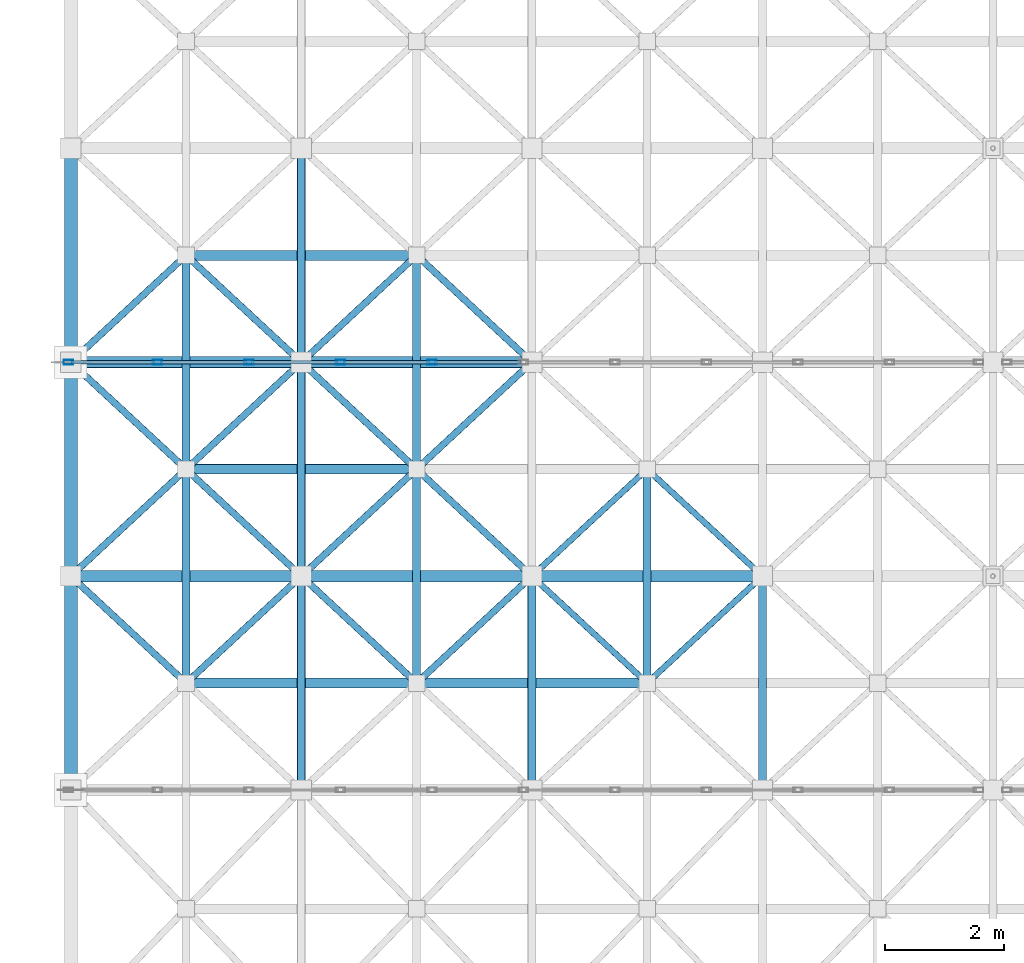
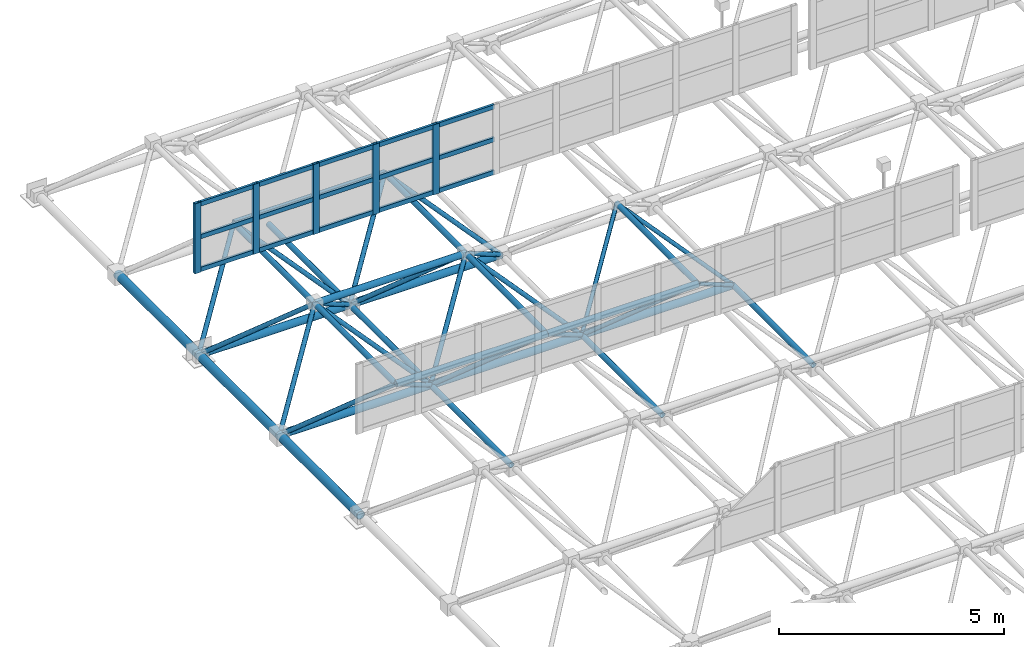
# One storey, part 92 of 195: 62 members, 1 element without a shape of its own.
"""IFC4 building model written with IfcOpenShell, lengths in metres."""

from ifc_helpers import new_model, si_unit, direction, frame, origin, origin_2d, place, context, subcontext, project, spatial, hollow_rectangle, hollow_circle, extrude, material, material_profile, profile_set, type_object, element, aggregate, save


model = new_model("IFC4")

# Units and contexts
model_context = context("Model", 3, precision=1e-05, world=origin(), true_north=direction((0.0, 1.0)))
body_context = subcontext(model_context, "Body", "Model", "MODEL_VIEW")
ifc_project = project(units=[si_unit("LENGTHUNIT", "METRE"), si_unit("AREAUNIT", "SQUARE_METRE"), si_unit("VOLUMEUNIT", "CUBIC_METRE"), si_unit("PLANEANGLEUNIT", "RADIAN"), si_unit("MASSUNIT", "GRAM", prefix="KILO")], contexts=[model_context])

# Site, building, storey
site_placement = place(None, origin())
site = spatial("IfcSite", under=ifc_project, at=site_placement, CompositionType="ELEMENT")
building_placement = place(site_placement, origin())
building = spatial("IfcBuilding", under=site, at=building_placement, Name="Kharva Crest Polytechnic", CompositionType="ELEMENT")
storey_placement = place(building_placement, frame((0.0, 0.0, 9.0)))
storey = spatial("IfcBuildingStorey", under=building, at=storey_placement, Name="L02", CompositionType="ELEMENT", Elevation=9.0)

# Curtain wall, members
ifc_material_1 = material(Name="Tempered insulated glass", Category="glass")
curtain_wall_type = type_object("IfcCurtainWallType", Name="CW-SYS-NORTHLIGHT", PredefinedType="USERDEFINED", material=ifc_material_1)
curtain_wall_placement = place(storey_placement, origin())
curtain_wall = element("IfcCurtainWall", 1, at=curtain_wall_placement, inside=storey, type_object=curtain_wall_type, Name="L02 Glazed Curtain Wall CW-199", ObjectType="CURTAIN WALL", PredefinedType="USERDEFINED")
ifc_material_2 = material(Name="Steel S355", Category="steel")
ifc_material_profile_1 = material_profile(ifc_material_2, hollow_rectangle(XDim=0.080078125, YDim=0.159912109375, WallThickness=0.0048828125, at=origin_2d()), Name="RHS 160X80X5.0")
ifc_profile_set_1 = profile_set([ifc_material_profile_1], Name="Steel S355")
member_type_1 = type_object("IfcMemberType", Name="CWM-RHS160X80", PredefinedType="MULLION", material=ifc_profile_set_1)
member_1_placement = place(storey_placement, frame((0.43994140625, 86.0, 2.85009765625), z_axis=(0.0, 0.0, 1.0), x_axis=(0.0, 1.0, 0.0)))
member_1 = element("IfcMember", 2, at=member_1_placement, type_object=member_type_1, Name="CW-199 mullion 1", PredefinedType="MULLION", context=body_context, shape_type="SweptSolid", body=[
    extrude(hollow_rectangle(XDim=0.080078125, YDim=0.159912109375, WallThickness=0.0048828125, at=origin_2d()), origin(), (0.0, 0.0, 1.0), 1.89990234375),
])
member_2_placement = place(storey_placement, frame((1.93994140625, 86.0, 2.85009765625), z_axis=(0.0, 0.0, 1.0), x_axis=(0.0, 1.0, 0.0)))
member_2 = element("IfcMember", 3, at=member_2_placement, type_object=member_type_1, Name="CW-199 mullion 2", PredefinedType="MULLION", context=body_context, shape_type="SweptSolid", body=[
    extrude(hollow_rectangle(XDim=0.080078125, YDim=0.159912109375, WallThickness=0.0048828125, at=origin_2d()), origin(), (0.0, 0.0, 1.0), 1.89990234375),
])
member_3_placement = place(storey_placement, frame((3.47998046875, 86.0, 2.85009765625), z_axis=(0.0, 0.0, 1.0), x_axis=(0.0, 1.0, 0.0)))
member_3 = element("IfcMember", 4, at=member_3_placement, type_object=member_type_1, Name="CW-199 mullion 3", PredefinedType="MULLION", context=body_context, shape_type="SweptSolid", body=[
    extrude(hollow_rectangle(XDim=0.080078125, YDim=0.159912109375, WallThickness=0.0048828125, at=origin_2d()), origin(), (0.0, 0.0, 1.0), 1.89990234375),
])
member_4_placement = place(storey_placement, frame((5.02001953125, 86.0, 2.85009765625), z_axis=(0.0, 0.0, 1.0), x_axis=(0.0, 1.0, 0.0)))
member_4 = element("IfcMember", 5, at=member_4_placement, type_object=member_type_1, Name="CW-199 mullion 4", PredefinedType="MULLION", context=body_context, shape_type="SweptSolid", body=[
    extrude(hollow_rectangle(XDim=0.080078125, YDim=0.159912109375, WallThickness=0.0048828125, at=origin_2d()), origin(), (0.0, 0.0, 1.0), 1.89990234375),
])
member_5_placement = place(storey_placement, frame((6.56005859375, 86.0, 2.85009765625), z_axis=(0.0, 0.0, 1.0), x_axis=(0.0, 1.0, 0.0)))
member_5 = element("IfcMember", 6, at=member_5_placement, type_object=member_type_1, Name="CW-199 mullion 5", PredefinedType="MULLION", context=body_context, shape_type="SweptSolid", body=[
    extrude(hollow_rectangle(XDim=0.080078125, YDim=0.159912109375, WallThickness=0.0048828125, at=origin_2d()), origin(), (0.0, 0.0, 1.0), 1.89990234375),
])
ifc_material_profile_2 = material_profile(ifc_material_2, hollow_rectangle(XDim=0.06005859375, YDim=0.1201171875, WallThickness=0.00390625, at=origin_2d()), Name="RHS 120X60X4.0")
ifc_profile_set_2 = profile_set([ifc_material_profile_2], Name="Steel S355")
member_type_2 = type_object("IfcMemberType", Name="CWT-RHS120X60", PredefinedType="USERDEFINED", material=ifc_profile_set_2)
member_6_placement = place(storey_placement, frame((0.47998046875, 86.0, 2.909912109375), z_axis=(1.0, 0.0, 0.0), x_axis=(0.0, 1.0, 0.0)))
member_6 = element("IfcMember", 7, at=member_6_placement, type_object=member_type_2, Name="CW-199 transom 1.1", ObjectType="TRANSOM", PredefinedType="USERDEFINED", context=body_context, shape_type="SweptSolid", body=[
    extrude(hollow_rectangle(XDim=0.06005859375, YDim=0.1201171875, WallThickness=0.00390625, at=origin_2d()), origin(), (0.0, 0.0, 1.0), 1.419921875),
])
member_7_placement = place(storey_placement, frame((0.47998046875, 86.0, 3.800048828125), z_axis=(1.0, 0.0, 0.0), x_axis=(0.0, 1.0, 0.0)))
member_7 = element("IfcMember", 8, at=member_7_placement, type_object=member_type_2, Name="CW-199 transom 1.2", ObjectType="TRANSOM", PredefinedType="USERDEFINED", context=body_context, shape_type="SweptSolid", body=[
    extrude(hollow_rectangle(XDim=0.06005859375, YDim=0.1201171875, WallThickness=0.00390625, at=origin_2d()), origin(), (0.0, 0.0, 1.0), 1.419921875),
])
member_8_placement = place(storey_placement, frame((0.47998046875, 86.0, 4.68994140625), z_axis=(1.0, 0.0, 0.0), x_axis=(0.0, 1.0, 0.0)))
member_8 = element("IfcMember", 9, at=member_8_placement, type_object=member_type_2, Name="CW-199 transom 1.3", ObjectType="TRANSOM", PredefinedType="USERDEFINED", context=body_context, shape_type="SweptSolid", body=[
    extrude(hollow_rectangle(XDim=0.06005859375, YDim=0.1201171875, WallThickness=0.00390625, at=origin_2d()), origin(), (0.0, 0.0, 1.0), 1.419921875),
])
member_9_placement = place(storey_placement, frame((1.97998046875, 86.0, 2.909912109375), z_axis=(1.0, 0.0, 0.0), x_axis=(0.0, 1.0, 0.0)))
member_9 = element("IfcMember", 10, at=member_9_placement, type_object=member_type_2, Name="CW-199 transom 2.1", ObjectType="TRANSOM", PredefinedType="USERDEFINED", context=body_context, shape_type="SweptSolid", body=[
    extrude(hollow_rectangle(XDim=0.06005859375, YDim=0.1201171875, WallThickness=0.00390625, at=origin_2d()), origin(), (0.0, 0.0, 1.0), 1.4599609375),
])
member_10_placement = place(storey_placement, frame((1.97998046875, 86.0, 3.800048828125), z_axis=(1.0, 0.0, 0.0), x_axis=(0.0, 1.0, 0.0)))
member_10 = element("IfcMember", 11, at=member_10_placement, type_object=member_type_2, Name="CW-199 transom 2.2", ObjectType="TRANSOM", PredefinedType="USERDEFINED", context=body_context, shape_type="SweptSolid", body=[
    extrude(hollow_rectangle(XDim=0.06005859375, YDim=0.1201171875, WallThickness=0.00390625, at=origin_2d()), origin(), (0.0, 0.0, 1.0), 1.4599609375),
])
member_11_placement = place(storey_placement, frame((1.97998046875, 86.0, 4.68994140625), z_axis=(1.0, 0.0, 0.0), x_axis=(0.0, 1.0, 0.0)))
member_11 = element("IfcMember", 12, at=member_11_placement, type_object=member_type_2, Name="CW-199 transom 2.3", ObjectType="TRANSOM", PredefinedType="USERDEFINED", context=body_context, shape_type="SweptSolid", body=[
    extrude(hollow_rectangle(XDim=0.06005859375, YDim=0.1201171875, WallThickness=0.00390625, at=origin_2d()), origin(), (0.0, 0.0, 1.0), 1.4599609375),
])
member_12_placement = place(storey_placement, frame((3.52001953125, 86.0, 2.909912109375), z_axis=(1.0, 0.0, 0.0), x_axis=(0.0, 1.0, 0.0)))
member_12 = element("IfcMember", 13, at=member_12_placement, type_object=member_type_2, Name="CW-199 transom 3.1", ObjectType="TRANSOM", PredefinedType="USERDEFINED", context=body_context, shape_type="SweptSolid", body=[
    extrude(hollow_rectangle(XDim=0.06005859375, YDim=0.1201171875, WallThickness=0.00390625, at=origin_2d()), origin(), (0.0, 0.0, 1.0), 1.4599609375),
])
member_13_placement = place(storey_placement, frame((3.52001953125, 86.0, 3.800048828125), z_axis=(1.0, 0.0, 0.0), x_axis=(0.0, 1.0, 0.0)))
member_13 = element("IfcMember", 14, at=member_13_placement, type_object=member_type_2, Name="CW-199 transom 3.2", ObjectType="TRANSOM", PredefinedType="USERDEFINED", context=body_context, shape_type="SweptSolid", body=[
    extrude(hollow_rectangle(XDim=0.06005859375, YDim=0.1201171875, WallThickness=0.00390625, at=origin_2d()), origin(), (0.0, 0.0, 1.0), 1.4599609375),
])
member_14_placement = place(storey_placement, frame((3.52001953125, 86.0, 4.68994140625), z_axis=(1.0, 0.0, 0.0), x_axis=(0.0, 1.0, 0.0)))
member_14 = element("IfcMember", 15, at=member_14_placement, type_object=member_type_2, Name="CW-199 transom 3.3", ObjectType="TRANSOM", PredefinedType="USERDEFINED", context=body_context, shape_type="SweptSolid", body=[
    extrude(hollow_rectangle(XDim=0.06005859375, YDim=0.1201171875, WallThickness=0.00390625, at=origin_2d()), origin(), (0.0, 0.0, 1.0), 1.4599609375),
])
member_15_placement = place(storey_placement, frame((5.06005859375, 86.0, 2.909912109375), z_axis=(1.0, 0.0, 0.0), x_axis=(0.0, 1.0, 0.0)))
member_15 = element("IfcMember", 16, at=member_15_placement, type_object=member_type_2, Name="CW-199 transom 4.1", ObjectType="TRANSOM", PredefinedType="USERDEFINED", context=body_context, shape_type="SweptSolid", body=[
    extrude(hollow_rectangle(XDim=0.06005859375, YDim=0.1201171875, WallThickness=0.00390625, at=origin_2d()), origin(), (0.0, 0.0, 1.0), 1.4599609375),
])
member_16_placement = place(storey_placement, frame((5.06005859375, 86.0, 3.800048828125), z_axis=(1.0, 0.0, 0.0), x_axis=(0.0, 1.0, 0.0)))
member_16 = element("IfcMember", 17, at=member_16_placement, type_object=member_type_2, Name="CW-199 transom 4.2", ObjectType="TRANSOM", PredefinedType="USERDEFINED", context=body_context, shape_type="SweptSolid", body=[
    extrude(hollow_rectangle(XDim=0.06005859375, YDim=0.1201171875, WallThickness=0.00390625, at=origin_2d()), origin(), (0.0, 0.0, 1.0), 1.4599609375),
])
member_17_placement = place(storey_placement, frame((5.06005859375, 86.0, 4.68994140625), z_axis=(1.0, 0.0, 0.0), x_axis=(0.0, 1.0, 0.0)))
member_17 = element("IfcMember", 18, at=member_17_placement, type_object=member_type_2, Name="CW-199 transom 4.3", ObjectType="TRANSOM", PredefinedType="USERDEFINED", context=body_context, shape_type="SweptSolid", body=[
    extrude(hollow_rectangle(XDim=0.06005859375, YDim=0.1201171875, WallThickness=0.00390625, at=origin_2d()), origin(), (0.0, 0.0, 1.0), 1.4599609375),
])
member_18_placement = place(storey_placement, frame((6.60009765625, 86.0, 2.909912109375), z_axis=(1.0, 0.0, 0.0), x_axis=(0.0, 1.0, 0.0)))
member_18 = element("IfcMember", 19, at=member_18_placement, type_object=member_type_2, Name="CW-199 transom 5.1", ObjectType="TRANSOM", PredefinedType="USERDEFINED", context=body_context, shape_type="SweptSolid", body=[
    extrude(hollow_rectangle(XDim=0.06005859375, YDim=0.1201171875, WallThickness=0.00390625, at=origin_2d()), origin(), (0.0, 0.0, 1.0), 1.4599609375),
])
member_19_placement = place(storey_placement, frame((6.60009765625, 86.0, 3.800048828125), z_axis=(1.0, 0.0, 0.0), x_axis=(0.0, 1.0, 0.0)))
member_19 = element("IfcMember", 20, at=member_19_placement, type_object=member_type_2, Name="CW-199 transom 5.2", ObjectType="TRANSOM", PredefinedType="USERDEFINED", context=body_context, shape_type="SweptSolid", body=[
    extrude(hollow_rectangle(XDim=0.06005859375, YDim=0.1201171875, WallThickness=0.00390625, at=origin_2d()), origin(), (0.0, 0.0, 1.0), 1.4599609375),
])
member_20_placement = place(storey_placement, frame((6.60009765625, 86.0, 4.68994140625), z_axis=(1.0, 0.0, 0.0), x_axis=(0.0, 1.0, 0.0)))
member_20 = element("IfcMember", 21, at=member_20_placement, type_object=member_type_2, Name="CW-199 transom 5.3", ObjectType="TRANSOM", PredefinedType="USERDEFINED", context=body_context, shape_type="SweptSolid", body=[
    extrude(hollow_rectangle(XDim=0.06005859375, YDim=0.1201171875, WallThickness=0.00390625, at=origin_2d()), origin(), (0.0, 0.0, 1.0), 1.4599609375),
])
aggregate(curtain_wall, [member_1, member_2, member_3, member_4, member_5, member_6, member_7, member_8, member_9, member_10, member_11, member_12, member_13, member_14, member_15, member_16, member_17, member_18, member_19, member_20])

# Members
ifc_material_profile_3 = material_profile(ifc_material_2, hollow_circle(Radius=0.05078125, WallThickness=0.0048828125, at=origin_2d()), Name="CHS 101.6X5.0")
ifc_profile_set_3 = profile_set([ifc_material_profile_3], Name="Steel S355")
member_type_3 = type_object("IfcMemberType", Name="MEM-CHS101", PredefinedType="BRACE", material=ifc_profile_set_3)
member_21_placement = place(storey_placement, frame((8.239990234375, 82.39990234375, 0.60009765625), z_axis=(0.606173487576, -0.562384967331, 0.562384967331), x_axis=(0.680132552351, 0.7330891564, 0.0)))
element("IfcMember", 22, at=member_21_placement, inside=storey, type_object=member_type_3, Name="Space Frame Web Diagonal 603", PredefinedType="BRACE", context=body_context, shape_type="SweptSolid", body=[
    extrude(hollow_circle(Radius=0.05078125, WallThickness=0.0048828125, at=origin_2d()), origin(), (0.0, 0.0, 1.0), 3.2001953125),
])
for number, where, z_axis, x_axis, name in (
    (23, (12.1201171875, 82.39990234375, 0.60009765625), (-0.606221739613, -0.562358961172, 0.562358961172), (0.680086554043, -0.733131829216, 0.0), "Space Frame Web Diagonal 604"),
    (24, (8.239990234375, 82.39990234375, 0.60009765625), (0.606147481159, 0.562437122903, 0.562360839555), (-0.680182129432, 0.73304315753, 0.0), "Space Frame Web Diagonal 605"),
):
    element("IfcMember", number, at=place(storey_placement, frame(where, z_axis=z_axis, x_axis=x_axis)), inside=storey, type_object=member_type_3, Name=name, PredefinedType="BRACE", context=body_context, shape_type="SweptSolid", body=[
        extrude(hollow_circle(Radius=0.05078125, WallThickness=0.0048828125, at=origin_2d()), origin(), (0.0, 0.0, 1.0), 3.200439453125),
    ])
member_22_placement = place(storey_placement, frame((12.1201171875, 82.39990234375, 0.60009765625), z_axis=(-0.606195733531, 0.562411116563, 0.562334836743), x_axis=(-0.680136133543, -0.733085833889, 0.0)))
element("IfcMember", 25, at=member_22_placement, inside=storey, type_object=member_type_3, Name="Space Frame Web Diagonal 606", PredefinedType="BRACE", context=body_context, shape_type="SweptSolid", body=[
    extrude(hollow_circle(Radius=0.05078125, WallThickness=0.0048828125, at=origin_2d()), origin(), (0.0, 0.0, 1.0), 3.20068359375),
])
ifc_material_profile_4 = material_profile(ifc_material_2, hollow_circle(Radius=0.05712890625, WallThickness=0.00634765625, at=origin_2d()), Name="CHS 114.3X6.3")
ifc_profile_set_4 = profile_set([ifc_material_profile_4], Name="Steel S355")
member_type_4 = type_object("IfcMemberType", Name="MEM-CHS114", PredefinedType="BRACE", material=ifc_profile_set_4)
member_23_placement = place(storey_placement, frame((0.47998046875, 82.39990234375, 0.60009765625), z_axis=(0.606173487576, -0.562384967331, 0.562384967331), x_axis=(0.680132552351, 0.7330891564, 0.0)))
element("IfcMember", 26, at=member_23_placement, inside=storey, type_object=member_type_4, Name="Space Frame Web Diagonal 491", PredefinedType="BRACE", context=body_context, shape_type="SweptSolid", body=[
    extrude(hollow_circle(Radius=0.05712890625, WallThickness=0.00634765625, at=origin_2d()), origin(), (0.0, 0.0, 1.0), 3.2001953125),
])
for number, where, z_axis, x_axis, name in (
    (27, (4.360107421875, 82.39990234375, 0.60009765625), (-0.606221739613, -0.562358961172, 0.562358961172), (0.680086554043, -0.733131829216, 0.0), "Space Frame Web Diagonal 492"),
    (28, (0.47998046875, 82.39990234375, 0.60009765625), (0.606147481159, 0.562437122903, 0.562360839555), (-0.680182129432, 0.73304315753, 0.0), "Space Frame Web Diagonal 493"),
):
    element("IfcMember", number, at=place(storey_placement, frame(where, z_axis=z_axis, x_axis=x_axis)), inside=storey, type_object=member_type_4, Name=name, PredefinedType="BRACE", context=body_context, shape_type="SweptSolid", body=[
        extrude(hollow_circle(Radius=0.05712890625, WallThickness=0.00634765625, at=origin_2d()), origin(), (0.0, 0.0, 1.0), 3.200439453125),
    ])
member_24_placement = place(storey_placement, frame((4.360107421875, 82.39990234375, 0.60009765625), z_axis=(-0.606195733531, 0.562411116563, 0.562334836743), x_axis=(-0.680136133543, -0.733085833889, 0.0)))
element("IfcMember", 29, at=member_24_placement, inside=storey, type_object=member_type_4, Name="Space Frame Web Diagonal 494", PredefinedType="BRACE", context=body_context, shape_type="SweptSolid", body=[
    extrude(hollow_circle(Radius=0.05712890625, WallThickness=0.00634765625, at=origin_2d()), origin(), (0.0, 0.0, 1.0), 3.20068359375),
])
member_25_placement = place(storey_placement, frame((0.47998046875, 86.0, 0.60009765625), z_axis=(0.606147481159, -0.562437122903, 0.562360839555), x_axis=(0.680182129432, 0.73304315753, 0.0)))
element("IfcMember", 30, at=member_25_placement, inside=storey, type_object=member_type_4, Name="Space Frame Web Diagonal 495", PredefinedType="BRACE", context=body_context, shape_type="SweptSolid", body=[
    extrude(hollow_circle(Radius=0.05712890625, WallThickness=0.00634765625, at=origin_2d()), origin(), (0.0, 0.0, 1.0), 3.200439453125),
])
member_26_placement = place(storey_placement, frame((4.360107421875, 86.0, 0.60009765625), z_axis=(-0.606195733531, -0.562411116563, 0.562334836743), x_axis=(0.680136133543, -0.733085833889, 0.0)))
element("IfcMember", 31, at=member_26_placement, inside=storey, type_object=member_type_4, Name="Space Frame Web Diagonal 496", PredefinedType="BRACE", context=body_context, shape_type="SweptSolid", body=[
    extrude(hollow_circle(Radius=0.05712890625, WallThickness=0.00634765625, at=origin_2d()), origin(), (0.0, 0.0, 1.0), 3.20068359375),
])
member_27_placement = place(storey_placement, frame((0.47998046875, 86.0, 0.60009765625), z_axis=(0.606147481159, 0.562437122903, 0.562360839555), x_axis=(-0.680182129432, 0.73304315753, 0.0)))
element("IfcMember", 32, at=member_27_placement, inside=storey, type_object=member_type_4, Name="Space Frame Web Diagonal 497", PredefinedType="BRACE", context=body_context, shape_type="SweptSolid", body=[
    extrude(hollow_circle(Radius=0.05712890625, WallThickness=0.00634765625, at=origin_2d()), origin(), (0.0, 0.0, 1.0), 3.200439453125),
])
member_28_placement = place(storey_placement, frame((4.360107421875, 86.0, 0.60009765625), z_axis=(-0.606195733531, 0.562411116563, 0.562334836743), x_axis=(-0.680136133543, -0.733085833889, 0.0)))
element("IfcMember", 33, at=member_28_placement, inside=storey, type_object=member_type_4, Name="Space Frame Web Diagonal 498", PredefinedType="BRACE", context=body_context, shape_type="SweptSolid", body=[
    extrude(hollow_circle(Radius=0.05712890625, WallThickness=0.00634765625, at=origin_2d()), origin(), (0.0, 0.0, 1.0), 3.20068359375),
])
for number, where, z_axis, x_axis, name in (
    (34, (4.360107421875, 82.39990234375, 0.60009765625), (0.606173487576, -0.562384967331, 0.562384967331), (0.680132552351, 0.7330891564, 0.0), "Space Frame Web Diagonal 547"),
    (35, (8.239990234375, 82.39990234375, 0.60009765625), (-0.606173487576, -0.562384967331, 0.562384967331), (0.680132552351, -0.7330891564, 0.0), "Space Frame Web Diagonal 548"),
):
    element("IfcMember", number, at=place(storey_placement, frame(where, z_axis=z_axis, x_axis=x_axis)), inside=storey, type_object=member_type_4, Name=name, PredefinedType="BRACE", context=body_context, shape_type="SweptSolid", body=[
        extrude(hollow_circle(Radius=0.05712890625, WallThickness=0.00634765625, at=origin_2d()), origin(), (0.0, 0.0, 1.0), 3.2001953125),
    ])
for number, where, z_axis, x_axis, name in (
    (36, (4.360107421875, 82.39990234375, 0.60009765625), (0.606147481159, 0.562437122903, 0.562360839555), (-0.680182129432, 0.73304315753, 0.0), "Space Frame Web Diagonal 549"),
    (37, (8.239990234375, 82.39990234375, 0.60009765625), (-0.606147481159, 0.562437122903, 0.562360839555), (-0.680182129432, -0.73304315753, 0.0), "Space Frame Web Diagonal 550"),
    (38, (4.360107421875, 86.0, 0.60009765625), (0.606147481159, -0.562437122903, 0.562360839555), (0.680182129432, 0.73304315753, 0.0), "Space Frame Web Diagonal 551"),
    (39, (8.239990234375, 86.0, 0.60009765625), (-0.606147481159, -0.562437122903, 0.562360839555), (0.680182129432, -0.73304315753, 0.0), "Space Frame Web Diagonal 552"),
    (40, (4.360107421875, 86.0, 0.60009765625), (0.606147481159, 0.562437122903, 0.562360839555), (-0.680182129432, 0.73304315753, 0.0), "Space Frame Web Diagonal 553"),
    (41, (8.239990234375, 86.0, 0.60009765625), (-0.606147481159, 0.562437122903, 0.562360839555), (-0.680182129432, -0.73304315753, 0.0), "Space Frame Web Diagonal 554"),
):
    element("IfcMember", number, at=place(storey_placement, frame(where, z_axis=z_axis, x_axis=x_axis)), inside=storey, type_object=member_type_4, Name=name, PredefinedType="BRACE", context=body_context, shape_type="SweptSolid", body=[
        extrude(hollow_circle(Radius=0.05712890625, WallThickness=0.00634765625, at=origin_2d()), origin(), (0.0, 0.0, 1.0), 3.200439453125),
    ])
ifc_material_profile_5 = material_profile(ifc_material_2, hollow_circle(Radius=0.06982421875, WallThickness=0.00634765625, at=origin_2d()), Name="CHS 139.7X6.3")
ifc_profile_set_5 = profile_set([ifc_material_profile_5], Name="Steel S355")
member_type_5 = type_object("IfcMemberType", Name="MEM-CHS139", PredefinedType="CHORD", material=ifc_profile_set_5)
member_29_placement = place(storey_placement, frame((4.360107421875, 78.800048828125, 0.60009765625), z_axis=(0.0, 1.0, 0.0), x_axis=(-1.0, 0.0, 0.0)))
element("IfcMember", 42, at=member_29_placement, inside=storey, type_object=member_type_5, Name="Space Frame Bottom Chord Y 145", PredefinedType="CHORD", context=body_context, shape_type="SweptSolid", body=[
    extrude(hollow_circle(Radius=0.06982421875, WallThickness=0.00634765625, at=origin_2d()), origin(), (0.0, 0.0, 1.0), 3.599853515625),
])
for number, where, z_axis, x_axis, name in (
    (43, (4.360107421875, 82.39990234375, 0.60009765625), (0.0, 1.0, 0.0), (-1.0, 0.0, 0.0), "Space Frame Bottom Chord Y 146"),
    (44, (4.360107421875, 86.0, 0.60009765625), (0.0, 1.0, 0.0), (-1.0, 0.0, 0.0), "Space Frame Bottom Chord Y 147"),
):
    element("IfcMember", number, at=place(storey_placement, frame(where, z_axis=z_axis, x_axis=x_axis)), inside=storey, type_object=member_type_5, Name=name, PredefinedType="CHORD", context=body_context, shape_type="SweptSolid", body=[
        extrude(hollow_circle(Radius=0.06982421875, WallThickness=0.00634765625, at=origin_2d()), origin(), (0.0, 0.0, 1.0), 3.60009765625),
    ])
for number, where, z_axis, x_axis, name in (
    (45, (8.239990234375, 78.800048828125, 0.60009765625), (0.0, 1.0, 0.0), (-1.0, 0.0, 0.0), "Space Frame Bottom Chord Y 159"),
    (46, (12.1201171875, 78.800048828125, 0.60009765625), (0.0, 1.0, 0.0), (-1.0, 0.0, 0.0), "Space Frame Bottom Chord Y 173"),
    (47, (2.419921875, 80.60009765625, 2.39990234375), (0.0, 1.0, 0.0), (-1.0, 0.0, 0.0), "Space Frame Top Chord Y 355"),
):
    element("IfcMember", number, at=place(storey_placement, frame(where, z_axis=z_axis, x_axis=x_axis)), inside=storey, type_object=member_type_5, Name=name, PredefinedType="CHORD", context=body_context, shape_type="SweptSolid", body=[
        extrude(hollow_circle(Radius=0.06982421875, WallThickness=0.00634765625, at=origin_2d()), origin(), (0.0, 0.0, 1.0), 3.599853515625),
    ])
member_30_placement = place(storey_placement, frame((2.419921875, 84.199951171875, 2.39990234375), z_axis=(0.0, 1.0, 0.0), x_axis=(-1.0, 0.0, 0.0)))
element("IfcMember", 48, at=member_30_placement, inside=storey, type_object=member_type_5, Name="Space Frame Top Chord Y 356", PredefinedType="CHORD", context=body_context, shape_type="SweptSolid", body=[
    extrude(hollow_circle(Radius=0.06982421875, WallThickness=0.00634765625, at=origin_2d()), origin(), (0.0, 0.0, 1.0), 3.60009765625),
])
member_31_placement = place(storey_placement, frame((6.300048828125, 80.60009765625, 2.39990234375), z_axis=(0.0, 1.0, 0.0), x_axis=(-1.0, 0.0, 0.0)))
element("IfcMember", 49, at=member_31_placement, inside=storey, type_object=member_type_5, Name="Space Frame Top Chord Y 368", PredefinedType="CHORD", context=body_context, shape_type="SweptSolid", body=[
    extrude(hollow_circle(Radius=0.06982421875, WallThickness=0.00634765625, at=origin_2d()), origin(), (0.0, 0.0, 1.0), 3.599853515625),
])
member_32_placement = place(storey_placement, frame((6.300048828125, 84.199951171875, 2.39990234375), z_axis=(0.0, 1.0, 0.0), x_axis=(-1.0, 0.0, 0.0)))
element("IfcMember", 50, at=member_32_placement, inside=storey, type_object=member_type_5, Name="Space Frame Top Chord Y 369", PredefinedType="CHORD", context=body_context, shape_type="SweptSolid", body=[
    extrude(hollow_circle(Radius=0.06982421875, WallThickness=0.00634765625, at=origin_2d()), origin(), (0.0, 0.0, 1.0), 3.60009765625),
])
member_33_placement = place(storey_placement, frame((10.179931640625, 80.60009765625, 2.39990234375), z_axis=(0.0, 1.0, 0.0), x_axis=(-1.0, 0.0, 0.0)))
element("IfcMember", 51, at=member_33_placement, inside=storey, type_object=member_type_5, Name="Space Frame Top Chord Y 381", PredefinedType="CHORD", context=body_context, shape_type="SweptSolid", body=[
    extrude(hollow_circle(Radius=0.06982421875, WallThickness=0.00634765625, at=origin_2d()), origin(), (0.0, 0.0, 1.0), 3.599853515625),
])
ifc_material_profile_6 = material_profile(ifc_material_2, hollow_circle(Radius=0.084228515625, WallThickness=0.008056640625, at=origin_2d()), Name="CHS 168.3X8.0")
ifc_profile_set_6 = profile_set([ifc_material_profile_6], Name="Steel S355")
member_type_6 = type_object("IfcMemberType", Name="MEM-CHS168", PredefinedType="CHORD", material=ifc_profile_set_6)
member_34_placement = place(storey_placement, frame((2.419921875, 80.60009765625, 2.39990234375), z_axis=(1.0, 0.0, 0.0), x_axis=(0.0, 1.0, 0.0)))
element("IfcMember", 52, at=member_34_placement, inside=storey, type_object=member_type_6, Name="Space Frame Top Chord X 317", PredefinedType="CHORD", context=body_context, shape_type="SweptSolid", body=[
    extrude(hollow_circle(Radius=0.084228515625, WallThickness=0.008056640625, at=origin_2d()), origin(), (0.0, 0.0, 1.0), 3.880126953125),
])
member_35_placement = place(storey_placement, frame((6.300048828125, 80.60009765625, 2.39990234375), z_axis=(1.0, 0.0, 0.0), x_axis=(0.0, 1.0, 0.0)))
element("IfcMember", 53, at=member_35_placement, inside=storey, type_object=member_type_6, Name="Space Frame Top Chord X 318", PredefinedType="CHORD", context=body_context, shape_type="SweptSolid", body=[
    extrude(hollow_circle(Radius=0.084228515625, WallThickness=0.008056640625, at=origin_2d()), origin(), (0.0, 0.0, 1.0), 3.8798828125),
])
for number, where, z_axis, x_axis, name in (
    (54, (2.419921875, 84.199951171875, 2.39990234375), (1.0, 0.0, 0.0), (0.0, 1.0, 0.0), "Space Frame Top Chord X 324"),
    (55, (2.419921875, 87.800048828125, 2.39990234375), (1.0, 0.0, 0.0), (0.0, 1.0, 0.0), "Space Frame Top Chord X 331"),
):
    element("IfcMember", number, at=place(storey_placement, frame(where, z_axis=z_axis, x_axis=x_axis)), inside=storey, type_object=member_type_6, Name=name, PredefinedType="CHORD", context=body_context, shape_type="SweptSolid", body=[
        extrude(hollow_circle(Radius=0.084228515625, WallThickness=0.008056640625, at=origin_2d()), origin(), (0.0, 0.0, 1.0), 3.880126953125),
    ])
ifc_material_profile_7 = material_profile(ifc_material_2, hollow_circle(Radius=0.096923828125, WallThickness=0.008056640625, at=origin_2d()), Name="CHS 193.7X8.0")
ifc_profile_set_7 = profile_set([ifc_material_profile_7], Name="Steel S355")
member_type_7 = type_object("IfcMemberType", Name="MEM-CHS193", PredefinedType="CHORD", material=ifc_profile_set_7)
member_36_placement = place(storey_placement, frame((0.47998046875, 82.39990234375, 0.60009765625), z_axis=(1.0, 0.0, 0.0), x_axis=(0.0, 1.0, 0.0)))
element("IfcMember", 56, at=member_36_placement, inside=storey, type_object=member_type_7, Name="Space Frame Bottom Chord X 89", PredefinedType="CHORD", context=body_context, shape_type="SweptSolid", body=[
    extrude(hollow_circle(Radius=0.096923828125, WallThickness=0.008056640625, at=origin_2d()), origin(), (0.0, 0.0, 1.0), 3.880126953125),
])
member_37_placement = place(storey_placement, frame((4.360107421875, 82.39990234375, 0.60009765625), z_axis=(1.0, 0.0, 0.0), x_axis=(0.0, 1.0, 0.0)))
element("IfcMember", 57, at=member_37_placement, inside=storey, type_object=member_type_7, Name="Space Frame Bottom Chord X 90", PredefinedType="CHORD", context=body_context, shape_type="SweptSolid", body=[
    extrude(hollow_circle(Radius=0.096923828125, WallThickness=0.008056640625, at=origin_2d()), origin(), (0.0, 0.0, 1.0), 3.8798828125),
])
for number, where, z_axis, x_axis, name in (
    (58, (8.239990234375, 82.39990234375, 0.60009765625), (1.0, 0.0, 0.0), (0.0, 1.0, 0.0), "Space Frame Bottom Chord X 91"),
    (59, (0.47998046875, 86.0, 0.60009765625), (1.0, 0.0, 0.0), (0.0, 1.0, 0.0), "Space Frame Bottom Chord X 97"),
):
    element("IfcMember", number, at=place(storey_placement, frame(where, z_axis=z_axis, x_axis=x_axis)), inside=storey, type_object=member_type_7, Name=name, PredefinedType="CHORD", context=body_context, shape_type="SweptSolid", body=[
        extrude(hollow_circle(Radius=0.096923828125, WallThickness=0.008056640625, at=origin_2d()), origin(), (0.0, 0.0, 1.0), 3.880126953125),
    ])
member_38_placement = place(storey_placement, frame((4.360107421875, 86.0, 0.60009765625), z_axis=(1.0, 0.0, 0.0), x_axis=(0.0, 1.0, 0.0)))
element("IfcMember", 60, at=member_38_placement, inside=storey, type_object=member_type_7, Name="Space Frame Bottom Chord X 98", PredefinedType="CHORD", context=body_context, shape_type="SweptSolid", body=[
    extrude(hollow_circle(Radius=0.096923828125, WallThickness=0.008056640625, at=origin_2d()), origin(), (0.0, 0.0, 1.0), 3.8798828125),
])
ifc_material_profile_8 = material_profile(ifc_material_2, hollow_circle(Radius=0.109619140625, WallThickness=0.010009765625, at=origin_2d()), Name="CHS 219.1X10.0")
ifc_profile_set_8 = profile_set([ifc_material_profile_8], Name="Steel S355")
member_type_8 = type_object("IfcMemberType", Name="MEM-CHS219", PredefinedType="CHORD", material=ifc_profile_set_8)
member_39_placement = place(storey_placement, frame((0.47998046875, 78.800048828125, 0.60009765625), z_axis=(0.0, 1.0, 0.0), x_axis=(-1.0, 0.0, 0.0)))
element("IfcMember", 61, at=member_39_placement, inside=storey, type_object=member_type_8, Name="Space Frame Bottom Chord Y 131", PredefinedType="CHORD", context=body_context, shape_type="SweptSolid", body=[
    extrude(hollow_circle(Radius=0.109619140625, WallThickness=0.010009765625, at=origin_2d()), origin(), (0.0, 0.0, 1.0), 3.599853515625),
])
for number, where, z_axis, x_axis, name in (
    (62, (0.47998046875, 82.39990234375, 0.60009765625), (0.0, 1.0, 0.0), (-1.0, 0.0, 0.0), "Space Frame Bottom Chord Y 132"),
    (63, (0.47998046875, 86.0, 0.60009765625), (0.0, 1.0, 0.0), (-1.0, 0.0, 0.0), "Space Frame Bottom Chord Y 133"),
):
    element("IfcMember", number, at=place(storey_placement, frame(where, z_axis=z_axis, x_axis=x_axis)), inside=storey, type_object=member_type_8, Name=name, PredefinedType="CHORD", context=body_context, shape_type="SweptSolid", body=[
        extrude(hollow_circle(Radius=0.109619140625, WallThickness=0.010009765625, at=origin_2d()), origin(), (0.0, 0.0, 1.0), 3.60009765625),
    ])

save(model, "model.ifc")
